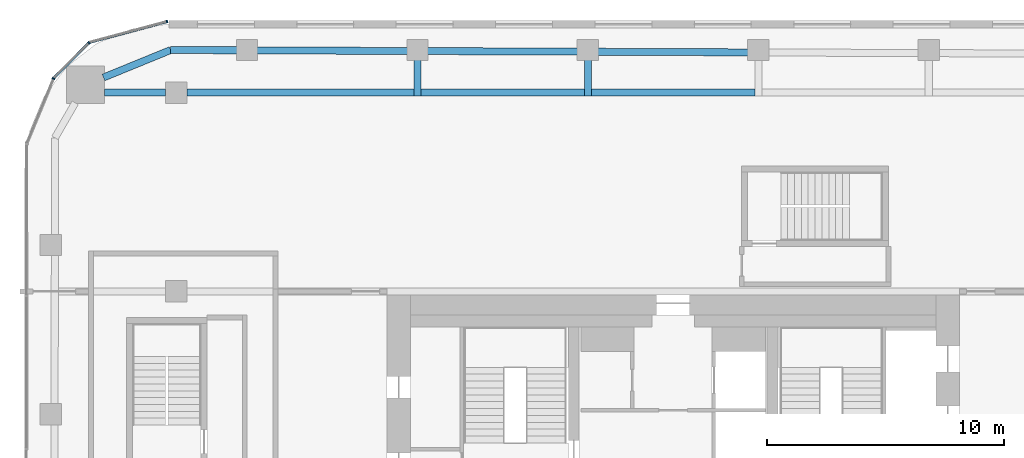
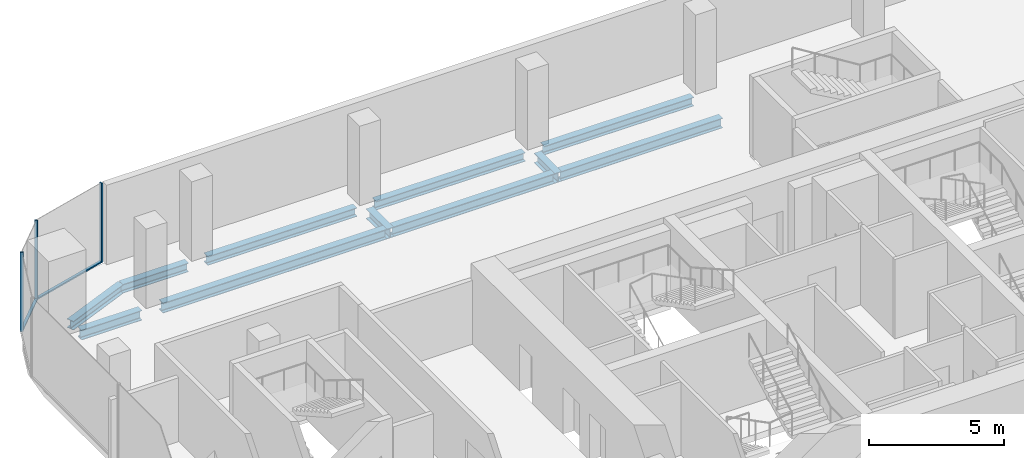
# One storey, part 10 of 21: 11 beams, 5 members, 3 elements without a shape of their own.
"""IFC4 building model written with IfcOpenShell, lengths in metres."""

from ifc_helpers import new_model, si_unit, direction, frame, origin, origin_2d, place, context, subcontext, project, spatial, rectangle, i_section, extrude, material, layer, layer_set, material_profile, profile_set, type_object, element, aggregate, save


model = new_model("IFC4")

# Units and contexts
model_context = context("Model", 3, precision=1e-05, world=origin(), true_north=direction((0.0, 1.0)))
body_context = subcontext(model_context, "Body", "Model", "MODEL_VIEW")
ifc_project = project(units=[si_unit("LENGTHUNIT", "METRE"), si_unit("AREAUNIT", "SQUARE_METRE"), si_unit("VOLUMEUNIT", "CUBIC_METRE"), si_unit("PLANEANGLEUNIT", "RADIAN"), si_unit("MASSUNIT", "GRAM", prefix="KILO")], contexts=[model_context])

# Site, building, storey
site_placement = place(None, origin())
site = spatial("IfcSite", under=ifc_project, at=site_placement, CompositionType="ELEMENT")
building_placement = place(site_placement, origin())
building = spatial("IfcBuilding", under=site, at=building_placement, Name="Marenta Gate Hotel Tower", CompositionType="ELEMENT")
storey_placement = place(building_placement, frame((0.0, 0.0, 133.699951171875)))
storey = spatial("IfcBuildingStorey", under=building, at=storey_placement, Name="L30", CompositionType="ELEMENT", Elevation=133.699951171875)

# Beams
ifc_material_1 = material(Name="Steel S355", Category="steel")
ifc_material_profile_1 = material_profile(ifc_material_1, i_section(OverallWidth=0.300048828125, OverallDepth=0.39990234375, WebThickness=0.013427734375, FlangeThickness=0.02392578125, FilletRadius=0.027099609375, at=origin_2d()), Name="HEB 400")
ifc_profile_set_1 = profile_set([ifc_material_profile_1], Name="Steel S355")
beam_type_1 = type_object("IfcBeamType", Name="Edge beam HEB 400", PredefinedType="SPANDREL", material=ifc_profile_set_1)
beam_1_placement = place(storey_placement, frame((-24.072509765625, 25.839111328125, -0.4599609375), z_axis=(0.925565978946, 0.378586342356, 0.0), x_axis=(-0.378586342356, 0.925565978946, 0.0)))
element("IfcBeam", 1, at=beam_1_placement, inside=storey, type_object=beam_type_1, Name="L30-EB-12", PredefinedType="SPANDREL", context=body_context, shape_type="SweptSolid", body=[
    extrude(i_section(OverallWidth=0.300048828125, OverallDepth=0.39990234375, WebThickness=0.013427734375, FlangeThickness=0.02392578125, FilletRadius=0.027099609375, at=origin_2d()), origin(), (0.0, 0.0, 1.0), 3.06640625),
])
beam_2_placement = place(storey_placement, frame((-21.234375, 27.0, -0.4599609375), z_axis=(0.999991706293, -0.004072756516, 0.0), x_axis=(0.004072756516, 0.999991706293, 0.0)))
element("IfcBeam", 2, at=beam_2_placement, inside=storey, type_object=beam_type_1, Name="L30-EB-13", PredefinedType="SPANDREL", context=body_context, shape_type="SweptSolid", body=[
    extrude(i_section(OverallWidth=0.300048828125, OverallDepth=0.39990234375, WebThickness=0.013427734375, FlangeThickness=0.02392578125, FilletRadius=0.027099609375, at=origin_2d()), origin(), (0.0, 0.0, 1.0), 2.8173828125),
])
beam_3_placement = place(storey_placement, frame((-17.596923828125, 26.985107421875, -0.4599609375), z_axis=(0.999991780748, -0.00405443424, 0.0), x_axis=(0.00405443424, 0.999991780748, 0.0)))
element("IfcBeam", 3, at=beam_3_placement, inside=storey, type_object=beam_type_1, Name="L30-EB-14", PredefinedType="SPANDREL", context=body_context, shape_type="SweptSolid", body=[
    extrude(i_section(OverallWidth=0.300048828125, OverallDepth=0.39990234375, WebThickness=0.013427734375, FlangeThickness=0.02392578125, FilletRadius=0.027099609375, at=origin_2d()), origin(), (0.0, 0.0, 1.0), 6.3828125),
])
beam_4_placement = place(storey_placement, frame((-10.39404296875, 26.955810546875, -0.4599609375), z_axis=(0.999991624297, -0.004092839529, 0.0), x_axis=(0.004092839529, 0.999991624297, 0.0)))
element("IfcBeam", 4, at=beam_4_placement, inside=storey, type_object=beam_type_1, Name="L30-EB-15", PredefinedType="SPANDREL", context=body_context, shape_type="SweptSolid", body=[
    extrude(i_section(OverallWidth=0.300048828125, OverallDepth=0.39990234375, WebThickness=0.013427734375, FlangeThickness=0.02392578125, FilletRadius=0.027099609375, at=origin_2d()), origin(), (0.0, 0.0, 1.0), 6.382568359375),
])
beam_5_placement = place(storey_placement, frame((-3.19140625, 26.926513671875, -0.4599609375), z_axis=(0.999991624938, -0.004092682982, 0.0), x_axis=(0.004092682982, 0.999991624938, 0.0)))
element("IfcBeam", 5, at=beam_5_placement, inside=storey, type_object=beam_type_1, Name="L30-EB-16", PredefinedType="SPANDREL", context=body_context, shape_type="SweptSolid", body=[
    extrude(i_section(OverallWidth=0.300048828125, OverallDepth=0.39990234375, WebThickness=0.013427734375, FlangeThickness=0.02392578125, FilletRadius=0.027099609375, at=origin_2d()), origin(), (0.0, 0.0, 1.0), 6.3828125),
])
ifc_material_2 = material(Name="Steel S355", Category="steel")
ifc_material_profile_2 = material_profile(ifc_material_2, i_section(OverallWidth=0.300048828125, OverallDepth=0.449951171875, WebThickness=0.013916015625, FlangeThickness=0.02587890625, FilletRadius=0.027099609375, at=origin_2d()), Name="HEB 450")
ifc_profile_set_2 = profile_set([ifc_material_profile_2], Name="Steel S355")
beam_type_2 = type_object("IfcBeamType", Name="Girder HEB 450", PredefinedType="BEAM", material=ifc_profile_set_2)
beam_6_placement = place(storey_placement, frame((-24.035400390625, 25.199951171875, -0.48486328125), z_axis=(1.0, 0.0, 0.0), x_axis=(0.0, 1.0, 0.0)))
element("IfcBeam", 6, at=beam_6_placement, inside=storey, type_object=beam_type_2, Name="L30-GD-29", PredefinedType="BEAM", context=body_context, shape_type="SweptSolid", body=[
    extrude(i_section(OverallWidth=0.300048828125, OverallDepth=0.449951171875, WebThickness=0.013916015625, FlangeThickness=0.02587890625, FilletRadius=0.027099609375, at=origin_2d()), origin(), (0.0, 0.0, 1.0), 2.58544921875),
])
beam_7_placement = place(storey_placement, frame((-20.550048828125, 25.199951171875, -0.48486328125), z_axis=(1.0, 0.0, 0.0), x_axis=(0.0, 1.0, 0.0)))
element("IfcBeam", 7, at=beam_7_placement, inside=storey, type_object=beam_type_2, Name="L30-GD-30", PredefinedType="BEAM", context=body_context, shape_type="SweptSolid", body=[
    extrude(i_section(OverallWidth=0.300048828125, OverallDepth=0.449951171875, WebThickness=0.013916015625, FlangeThickness=0.02587890625, FilletRadius=0.027099609375, at=origin_2d()), origin(), (0.0, 0.0, 1.0), 9.595947265625),
])
beam_8_placement = place(storey_placement, frame((-10.654052734375, 25.199951171875, -0.48486328125), z_axis=(1.0, 0.0, 0.0), x_axis=(0.0, 1.0, 0.0)))
element("IfcBeam", 8, at=beam_8_placement, inside=storey, type_object=beam_type_2, Name="L30-GD-31", PredefinedType="BEAM", context=body_context, shape_type="SweptSolid", body=[
    extrude(i_section(OverallWidth=0.300048828125, OverallDepth=0.449951171875, WebThickness=0.013916015625, FlangeThickness=0.02587890625, FilletRadius=0.027099609375, at=origin_2d()), origin(), (0.0, 0.0, 1.0), 6.902587890625),
])
beam_9_placement = place(storey_placement, frame((-3.451416015625, 25.199951171875, -0.48486328125), z_axis=(1.0, 0.0, 0.0), x_axis=(0.0, 1.0, 0.0)))
element("IfcBeam", 9, at=beam_9_placement, inside=storey, type_object=beam_type_2, Name="L30-GD-32", PredefinedType="BEAM", context=body_context, shape_type="SweptSolid", body=[
    extrude(i_section(OverallWidth=0.300048828125, OverallDepth=0.449951171875, WebThickness=0.013916015625, FlangeThickness=0.02587890625, FilletRadius=0.027099609375, at=origin_2d()), origin(), (0.0, 0.0, 1.0), 6.90283203125),
])
ifc_material_3 = material(Name="Steel S355", Category="steel")
ifc_material_profile_3 = material_profile(ifc_material_3, i_section(OverallWidth=0.300048828125, OverallDepth=0.449951171875, WebThickness=0.013916015625, FlangeThickness=0.02587890625, FilletRadius=0.027099609375, at=origin_2d()), Name="HEB 450")
ifc_profile_set_3 = profile_set([ifc_material_profile_3], Name="Steel S355")
beam_type_3 = type_object("IfcBeamType", Name="Girder bracket HEB 450", PredefinedType="BEAM", material=ifc_profile_set_3)
for number, where, z_axis, x_axis, name in (
    (10, (-10.80419921875, 25.050048828125, -0.48486328125), (0.0, 1.0, 0.0), (-1.0, 0.0, 0.0), "L30-GS-1"),
    (11, (-3.601318359375, 25.050048828125, -0.48486328125), (0.0, 1.0, 0.0), (-1.0, 0.0, 0.0), "L30-GS-2"),
):
    element("IfcBeam", number, at=place(storey_placement, frame(where, z_axis=z_axis, x_axis=x_axis)), inside=storey, type_object=beam_type_3, Name=name, PredefinedType="BEAM", context=body_context, shape_type="SweptSolid", body=[
        extrude(i_section(OverallWidth=0.300048828125, OverallDepth=0.449951171875, WebThickness=0.013916015625, FlangeThickness=0.02587890625, FilletRadius=0.027099609375, at=origin_2d()), origin(), (0.0, 0.0, 1.0), 1.5400390625),
    ])

# Curtain wall, member
ifc_material_4 = material(Name="Tinted insulated glass in bronze anodised frame", Category="glass")
ifc_layer = layer(ifc_material_4, 0.1201171875)
ifc_layer_set = layer_set([ifc_layer], Name="Tinted insulated glass in bronze anodised frame")
curtain_wall_type = type_object("IfcCurtainWallType", Name="Tower unitised curtain wall CW1", PredefinedType="NOTDEFINED", material=ifc_layer_set)
curtain_wall_1_placement = place(storey_placement, origin())
curtain_wall_1 = element("IfcCurtainWall", 12, at=curtain_wall_1_placement, inside=storey, type_object=curtain_wall_type, Name="CW1 run G00", PredefinedType="NOTDEFINED")
ifc_material_5 = material(Name="Bronze anodised aluminium", Category="aluminium")
ifc_material_profile_4 = material_profile(ifc_material_5, rectangle(XDim=0.1201171875, YDim=0.06005859375, at=origin_2d()), Name="Mullion CW1 60x120 bronze anodised aluminium")
ifc_profile_set_4 = profile_set([ifc_material_profile_4], Name="Bronze anodised aluminium")
member_type_1 = type_object("IfcMemberType", Name="Mullion CW1 60x120 bronze anodised aluminium", PredefinedType="MULLION", material=ifc_profile_set_4)
member_1_placement = place(storey_placement, frame((-21.385498046875, 28.203125, 0.0), z_axis=(0.0, 0.0, 1.0), x_axis=(0.258801234873, -0.96593059835, 0.0)))
member_1 = element("IfcMember", 13, at=member_1_placement, type_object=member_type_1, Name="CW1 mullion 1", PredefinedType="MULLION", context=body_context, shape_type="SweptSolid", body=[
    extrude(rectangle(XDim=0.1201171875, YDim=0.06005859375, at=origin_2d()), origin(), (0.0, 0.0, 1.0), 3.60009765625),
])

curtain_wall_2_placement = place(storey_placement, origin())
curtain_wall_2 = element("IfcCurtainWall", 14, at=curtain_wall_2_placement, inside=storey, type_object=curtain_wall_type, Name="CW1 run G01", PredefinedType="NOTDEFINED")
member_2_placement = place(storey_placement, frame((-24.68798828125, 27.302978515625, 0.0), z_axis=(0.0, 0.0, 1.0), x_axis=(0.707106781187, -0.707106781187, 0.0)))
member_2 = element("IfcMember", 15, at=member_2_placement, type_object=member_type_1, Name="CW1 mullion 1", PredefinedType="MULLION", context=body_context, shape_type="SweptSolid", body=[
    extrude(rectangle(XDim=0.1201171875, YDim=0.06005859375, at=origin_2d()), origin(), (0.0, 0.0, 1.0), 3.60009765625),
])

curtain_wall_3_placement = place(storey_placement, origin())
curtain_wall_3 = element("IfcCurtainWall", 16, at=curtain_wall_3_placement, inside=storey, type_object=curtain_wall_type, Name="CW1 run G02", PredefinedType="NOTDEFINED")
member_3_placement = place(storey_placement, frame((-26.183837890625, 25.790771484375, 0.0), z_axis=(0.0, 0.0, 1.0), x_axis=(0.923884278178, -0.382671975111, 0.0)))
member_3 = element("IfcMember", 17, at=member_3_placement, type_object=member_type_1, Name="CW1 mullion 1", PredefinedType="MULLION", context=body_context, shape_type="SweptSolid", body=[
    extrude(rectangle(XDim=0.1201171875, YDim=0.06005859375, at=origin_2d()), origin(), (0.0, 0.0, 1.0), 3.60009765625),
])
aggregate(curtain_wall_3, [member_3])

# Member
ifc_material_6 = material(Name="Bronze anodised aluminium", Category="aluminium")
ifc_material_profile_5 = material_profile(ifc_material_6, rectangle(XDim=0.1201171875, YDim=0.06005859375, at=origin_2d()), Name="Transom CW1 60x120 bronze anodised aluminium")
ifc_profile_set_5 = profile_set([ifc_material_profile_5], Name="Bronze anodised aluminium")
member_type_2 = type_object("IfcMemberType", Name="Transom CW1 60x120 bronze anodised aluminium", PredefinedType="USERDEFINED", material=ifc_profile_set_5)
member_4_placement = place(storey_placement, frame((-21.41455078125, 28.195556640625, 0.030029296875), z_axis=(-0.965932192411, -0.258795285243, 0.0), x_axis=(0.258795285243, -0.965932192411, 0.0)))
member_4 = element("IfcMember", 18, at=member_4_placement, type_object=member_type_2, Name="CW1 transom 1.1", ObjectType="TRANSOM", PredefinedType="USERDEFINED", context=body_context, shape_type="SweptSolid", body=[
    extrude(rectangle(XDim=0.1201171875, YDim=0.06005859375, at=origin_2d()), origin(), (0.0, 0.0, 1.0), 3.366943359375),
])

aggregate(curtain_wall_1, [member_1, member_4])

member_5_placement = place(storey_placement, frame((-24.709228515625, 27.28173828125, 0.030029296875), z_axis=(-0.707106781187, -0.707106781187, 0.0), x_axis=(0.707106781187, -0.707106781187, 0.0)))
member_5 = element("IfcMember", 19, at=member_5_placement, type_object=member_type_2, Name="CW1 transom 1.1", ObjectType="TRANSOM", PredefinedType="USERDEFINED", context=body_context, shape_type="SweptSolid", body=[
    extrude(rectangle(XDim=0.1201171875, YDim=0.06005859375, at=origin_2d()), origin(), (0.0, 0.0, 1.0), 2.069091796875),
])

aggregate(curtain_wall_2, [member_2, member_5])

save(model, "model.ifc")
